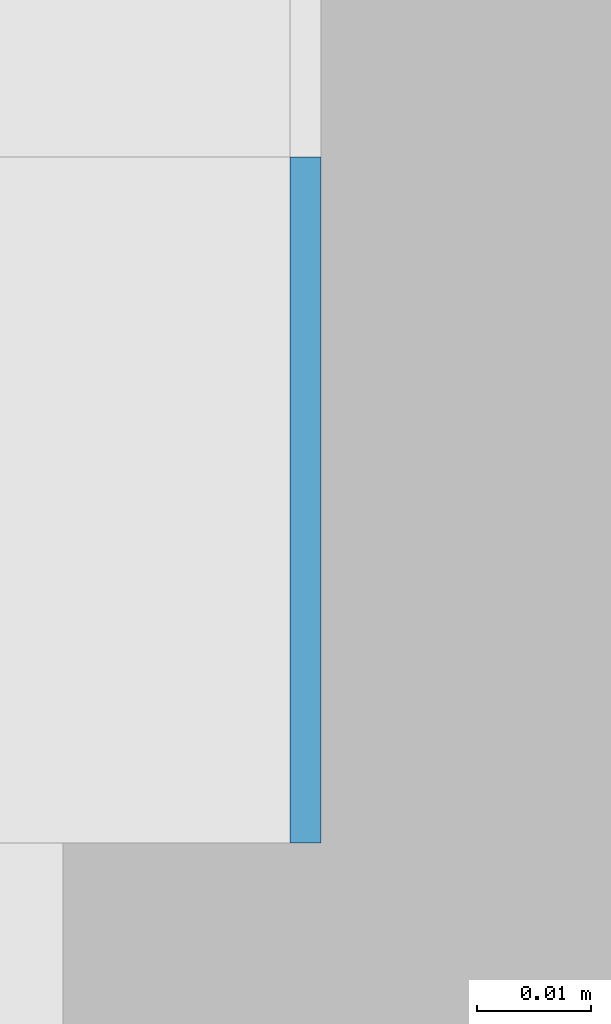
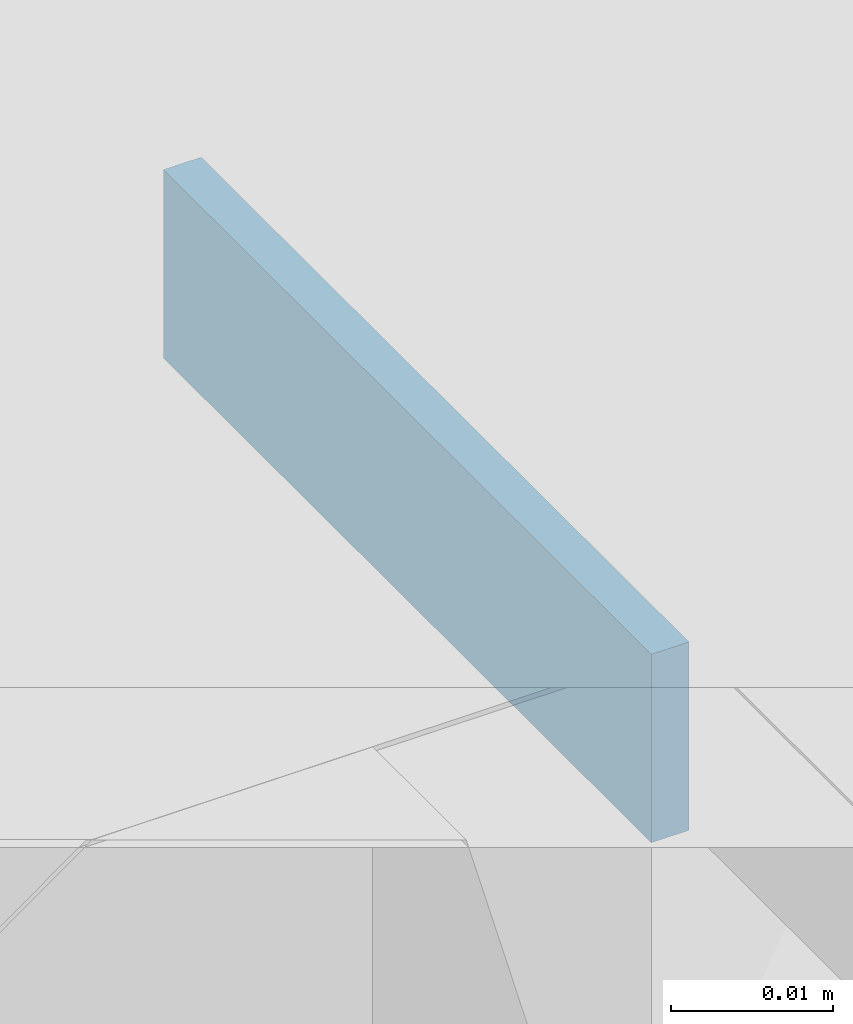
# One storey, part 331 of 646: 1 discrete accessory.
"""IFC4 building model written with IfcOpenShell, lengths in metres."""

import ifcopenshell
import ifcopenshell.guid

model = None  # the IFC model being written
_history = None  # IfcOwnerHistory: only IFC2X3 demands one
_inside = {}  # id of a spatial element -> (the spatial element, [elements in it])
_under = {}  # id of a project, library or spatial element -> (it, [spatial elements below it])
_declared = {}  # id of a project -> (the project, [libraries it declares])
_typed = {}  # id of a type object -> (the type object, [elements of that type])
_made_of = {}  # id of a material, layer set ... -> (it, [elements and type objects made of it])


def new_model(schema):
    """Start an empty IFC model of exactly this schema.

    Asked for "IFC4X3", IfcOpenShell would pick the latest addendum, in which some entities
    have other attributes; the version numbers below select the first issue.
    IFC2X3 requires an IfcOwnerHistory on every rooted entity: one is made here for all.
    """
    global model, _history
    if schema == "IFC4X3":
        model = ifcopenshell.file(schema_version=(4, 3, 0, 0))
    else:
        model = ifcopenshell.file(schema=schema)
    _inside.clear()
    _under.clear()
    _declared.clear()
    _typed.clear()
    _made_of.clear()
    _history = None
    if model.schema == "IFC2X3":
        org = make("IfcOrganization", Name="unknown")
        user = make(
            "IfcPersonAndOrganization",
            ThePerson=make("IfcPerson", FamilyName="unknown"),
            TheOrganization=org,
        )
        app = make(
            "IfcApplication",
            ApplicationDeveloper=org,
            Version="unknown",
            ApplicationFullName="unknown",
            ApplicationIdentifier="unknown",
        )
        _history = make(
            "IfcOwnerHistory",
            OwningUser=user,
            OwningApplication=app,
            ChangeAction="ADDED",
            CreationDate=0,
        )
    return model


def make(cls, **values):
    """One entity of the class cls with the attributes given. An attribute that is None is left unset."""
    return model.create_entity(
        cls, **{name: value for name, value in values.items() if value is not None}
    )


def rooted(cls, **values):
    """An entity with a GlobalId (a new one), such as an element, a storey or a relation."""
    return make(cls, GlobalId=ifcopenshell.guid.new(), OwnerHistory=_history, **values)


def si_unit(unit_type, name, prefix=None):
    """IfcSIUnit, for example si_unit("LENGTHUNIT", "METRE", prefix="MILLI")."""
    return make("IfcSIUnit", UnitType=unit_type, Prefix=prefix, Name=name)


def assignment(units):
    """IfcUnitAssignment: the units of a project."""
    return None if units is None else make("IfcUnitAssignment", Units=units)


def point(xyz):
    """IfcCartesianPoint."""
    return None if xyz is None else make("IfcCartesianPoint", Coordinates=xyz)


def direction(xyz):
    """IfcDirection."""
    return None if xyz is None else make("IfcDirection", DirectionRatios=xyz)


def frame(location, z_axis=None, x_axis=None):
    """IfcAxis2Placement3D, a coordinate frame: its origin and axes. An axis left out is left unset."""
    return make(
        "IfcAxis2Placement3D",
        Location=point(location),
        Axis=direction(z_axis),
        RefDirection=direction(x_axis),
    )


def frame_2d(location, x_axis=None):
    """IfcAxis2Placement2D, a coordinate frame in the plane: its origin and x axis."""
    return make(
        "IfcAxis2Placement2D", Location=point(location), RefDirection=direction(x_axis)
    )


def origin():
    """The frame at (0, 0, 0) with its axes left unset."""
    return frame((0.0, 0.0, 0.0))


def origin_2d():
    """The frame at (0, 0) in the plane with its x axis left unset."""
    return frame_2d((0.0, 0.0))


def place(relative_to, where):
    """IfcLocalPlacement: puts the frame where relative to a parent placement (None: the world)."""
    return make(
        "IfcLocalPlacement", PlacementRelTo=relative_to, RelativePlacement=where
    )


def context(
    kind, dimensions, precision=None, world=None, true_north=None, identifier=None
):
    """IfcGeometricRepresentationContext, for example the 3D "Model" context."""
    return make(
        "IfcGeometricRepresentationContext",
        ContextIdentifier=identifier,
        ContextType=kind,
        CoordinateSpaceDimension=dimensions,
        Precision=precision,
        WorldCoordinateSystem=world,
        TrueNorth=true_north,
    )


def subcontext(parent, identifier, kind, view, scale=None):
    """IfcGeometricRepresentationSubContext, for example "Body" below "Model"."""
    return make(
        "IfcGeometricRepresentationSubContext",
        ContextIdentifier=identifier,
        ContextType=kind,
        ParentContext=parent,
        TargetScale=scale,
        TargetView=view,
    )


def project(units=None, contexts=None):
    """IfcProject with its units and contexts."""
    return rooted(
        "IfcProject",
        Name="project",
        RepresentationContexts=contexts,
        UnitsInContext=assignment(units),
    )


def spatial(cls, under=None, at=None, **own):
    """A site, building, storey or space (cls), placed at a placement, below another one or the project."""
    s = rooted(cls, ObjectPlacement=at, **own)
    if under is not None:
        _under.setdefault(under.id(), (under, []))[1].append(s)
    return s


def profile(cls, at=None, kind="AREA", **sizes):
    """A parametric profile (cls). Its sizes go by their IFC names, for example OverallWidth=200.0."""
    return make(cls, ProfileType=kind, Position=at, **sizes)


def rectangle(**sizes):
    """IfcRectangleProfileDef."""
    return profile("IfcRectangleProfileDef", **sizes)


def extrude(swept, where, along, depth):
    """IfcExtrudedAreaSolid: the profile swept, set in the frame where, extruded along a direction by depth."""
    return make(
        "IfcExtrudedAreaSolid",
        SweptArea=swept,
        Position=where,
        ExtrudedDirection=direction(along),
        Depth=depth,
    )


def shape(context_of_items, identifier, shape_type, items):
    """IfcShapeRepresentation: the items that make up one representation, for example the "Body"."""
    return make(
        "IfcShapeRepresentation",
        ContextOfItems=context_of_items,
        RepresentationIdentifier=identifier,
        RepresentationType=shape_type,
        Items=items,
    )


def material(Name=None, Category=None):
    """IfcMaterial."""
    return make("IfcMaterial", Name=Name, Category=Category)


def made_of(thing, what):
    """Note that an element or type object is made of a material, layer set ...; save() writes the relation."""
    if what is not None:
        _made_of.setdefault(what.id(), (what, []))[1].append(thing)
    return thing


def type_object(cls, material=None, **own):
    """A type object (cls), such as IfcWallType, which elements share."""
    return made_of(rooted(cls, **own), material)


def element(
    cls,
    number,
    at=None,
    inside=None,
    cuts=None,
    type_object=None,
    material=None,
    context=None,
    identifier="Body",
    shape_type=None,
    held_by="IfcProductDefinitionShape",
    body=None,
    shapes=None,
    **own,
):
    """One element of the class cls, such as IfcWall. Its Tag is "e" and its number.

    at: its placement. inside: the storey or other place that contains it. cuts: it is an
    opening in that element (IfcRelVoidsElement). A single representation is given by context,
    identifier, shape_type and body (its items); several are given by shapes. held_by: the class
    of the entity that holds the representations. save() writes the other relations.
    """
    e = rooted(cls, Tag="e%d" % number, ObjectPlacement=at, **own)
    if body is not None:
        shapes = [shape(context, identifier, shape_type, body)]
    if shapes is not None:
        e.Representation = make(held_by, Representations=shapes)
    if inside is not None:
        _inside.setdefault(inside.id(), (inside, []))[1].append(e)
    if cuts is not None:
        rooted(
            "IfcRelVoidsElement", RelatingBuildingElement=cuts, RelatedOpeningElement=e
        )
    if type_object is not None:
        _typed.setdefault(type_object.id(), (type_object, []))[1].append(e)
    return made_of(e, material)


def aggregate(whole, parts):
    """IfcRelAggregates: a whole, such as a stair, and the parts it consists of."""
    return rooted("IfcRelAggregates", RelatingObject=whole, RelatedObjects=parts)


def save(model, path):
    """Write the relations noted so far, then the file.

    IfcRelAggregates (storeys below a building ...), IfcRelContainedInSpatialStructure (elements
    in a storey), IfcRelDefinesByType, IfcRelAssociatesMaterial and IfcRelDeclares: one each for
    every whole, place, type object, material and project.
    """
    for whole, parts in _under.values():
        aggregate(whole, parts)
    for where, things in _inside.values():
        rooted(
            "IfcRelContainedInSpatialStructure",
            RelatedElements=things,
            RelatingStructure=where,
        )
    for kind, things in _typed.values():
        rooted("IfcRelDefinesByType", RelatedObjects=things, RelatingType=kind)
    for what, things in _made_of.values():
        rooted("IfcRelAssociatesMaterial", RelatedObjects=things, RelatingMaterial=what)
    for by, libraries in _declared.values():
        rooted("IfcRelDeclares", RelatingContext=by, RelatedDefinitions=libraries)
    model.write(path)


model = new_model("IFC4")

# Units and contexts
model_context = context("Model", 3, precision=1e-05, world=origin(), true_north=direction((0.0, 1.0)))
body_context = subcontext(model_context, "Body", "Model", "MODEL_VIEW")
ifc_project = project(units=[si_unit("LENGTHUNIT", "METRE"), si_unit("AREAUNIT", "SQUARE_METRE"), si_unit("VOLUMEUNIT", "CUBIC_METRE"), si_unit("PLANEANGLEUNIT", "RADIAN"), si_unit("MASSUNIT", "GRAM", prefix="KILO")], contexts=[model_context])

# Site, building, storey
site_placement = place(None, origin())
site = spatial("IfcSite", under=ifc_project, at=site_placement, CompositionType="ELEMENT")
building_placement = place(site_placement, origin())
building = spatial("IfcBuilding", under=site, at=building_placement, Name="Silverbay Arena", CompositionType="ELEMENT")
storey_placement = place(building_placement, frame((0.0, 0.0, 33.5)))
storey = spatial("IfcBuildingStorey", under=building, at=storey_placement, Name="L05", CompositionType="ELEMENT", Elevation=33.5)

# Discrete accessory
ifc_material = material(Name="Steel S355", Category="steel")
discrete_accessory_type = type_object("IfcDiscreteAccessoryType", Name="Steel bracket plate", PredefinedType="BRACKET", material=ifc_material)
discrete_accessory_placement = place(storey_placement, frame((53.871337890625, 80.969970703125, 12.98583984375), z_axis=(0.0, 0.0, 1.0), x_axis=(1.0, 0.0, 0.0)))
element("IfcDiscreteAccessory", 1, at=discrete_accessory_placement, inside=storey, type_object=discrete_accessory_type, Name="Curtain wall packing plate", PredefinedType="BRACKET", context=body_context, shape_type="SweptSolid", body=[
    extrude(rectangle(XDim=0.002685546875, YDim=0.06005859375, at=origin_2d()), origin(), (0.0, 0.0, 1.0), 0.01416015625),
])

save(model, "model.ifc")
